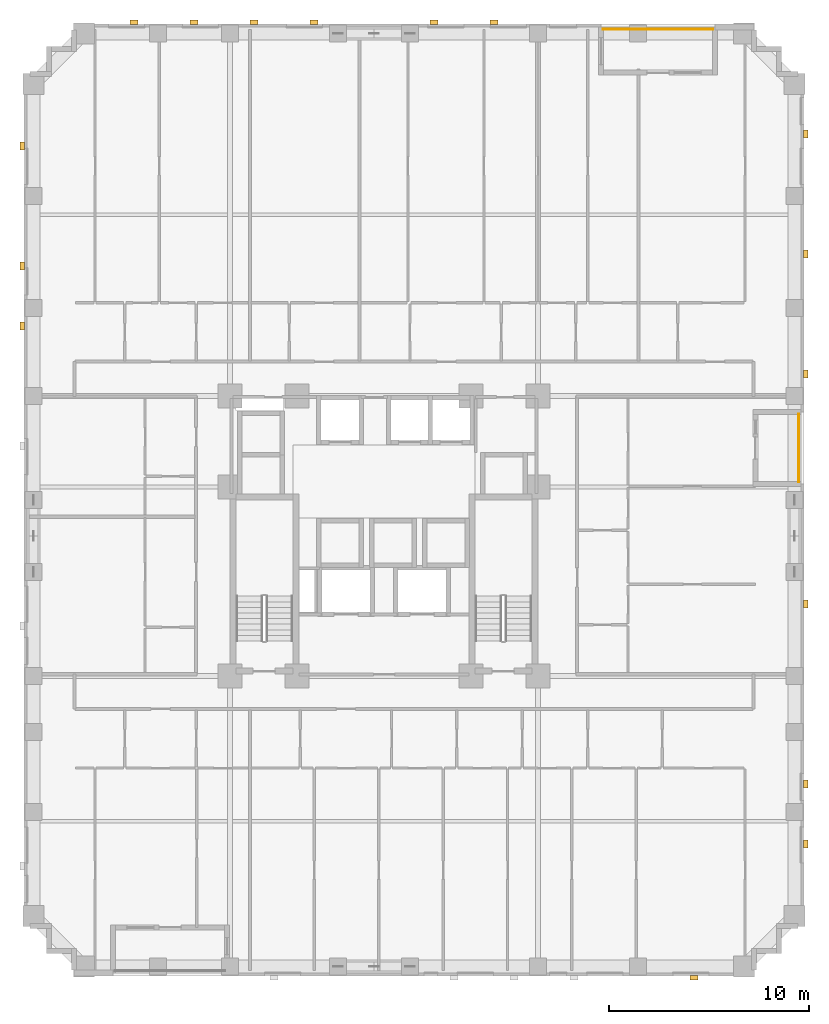
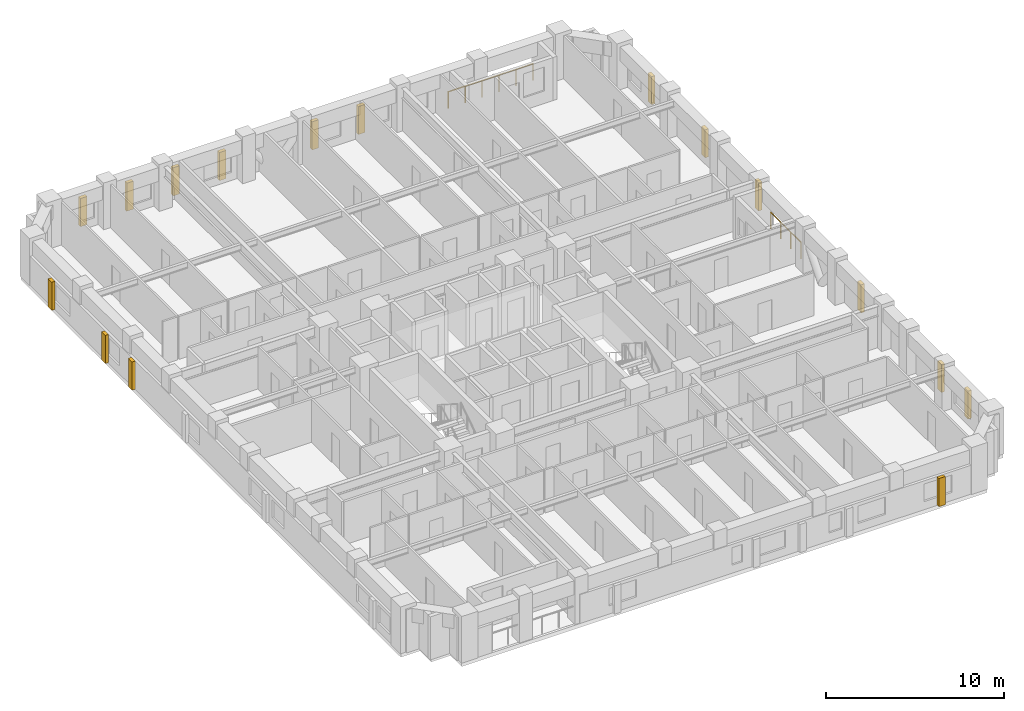
# One storey, part 14 of 14: 16 coverings, 2 railings.
"""IFC4 building model written with IfcOpenShell, lengths in metres."""

import ifcopenshell
import ifcopenshell.guid

model = None  # the IFC model being written
_history = None  # IfcOwnerHistory: only IFC2X3 demands one
_inside = {}  # id of a spatial element -> (the spatial element, [elements in it])
_under = {}  # id of a project, library or spatial element -> (it, [spatial elements below it])
_declared = {}  # id of a project -> (the project, [libraries it declares])
_typed = {}  # id of a type object -> (the type object, [elements of that type])
_made_of = {}  # id of a material, layer set ... -> (it, [elements and type objects made of it])


def new_model(schema):
    """Start an empty IFC model of exactly this schema.

    Asked for "IFC4X3", IfcOpenShell would pick the latest addendum, in which some entities
    have other attributes; the version numbers below select the first issue.
    IFC2X3 requires an IfcOwnerHistory on every rooted entity: one is made here for all.
    """
    global model, _history
    if schema == "IFC4X3":
        model = ifcopenshell.file(schema_version=(4, 3, 0, 0))
    else:
        model = ifcopenshell.file(schema=schema)
    _inside.clear()
    _under.clear()
    _declared.clear()
    _typed.clear()
    _made_of.clear()
    _history = None
    if model.schema == "IFC2X3":
        org = make("IfcOrganization", Name="unknown")
        user = make(
            "IfcPersonAndOrganization",
            ThePerson=make("IfcPerson", FamilyName="unknown"),
            TheOrganization=org,
        )
        app = make(
            "IfcApplication",
            ApplicationDeveloper=org,
            Version="unknown",
            ApplicationFullName="unknown",
            ApplicationIdentifier="unknown",
        )
        _history = make(
            "IfcOwnerHistory",
            OwningUser=user,
            OwningApplication=app,
            ChangeAction="ADDED",
            CreationDate=0,
        )
    return model


def make(cls, **values):
    """One entity of the class cls with the attributes given. An attribute that is None is left unset."""
    return model.create_entity(
        cls, **{name: value for name, value in values.items() if value is not None}
    )


def rooted(cls, **values):
    """An entity with a GlobalId (a new one), such as an element, a storey or a relation."""
    return make(cls, GlobalId=ifcopenshell.guid.new(), OwnerHistory=_history, **values)


def si_unit(unit_type, name, prefix=None):
    """IfcSIUnit, for example si_unit("LENGTHUNIT", "METRE", prefix="MILLI")."""
    return make("IfcSIUnit", UnitType=unit_type, Prefix=prefix, Name=name)


def derived_unit(unit_type, elements):
    """IfcDerivedUnit: a product of units, each with its exponent."""
    return make(
        "IfcDerivedUnit",
        Elements=[
            make("IfcDerivedUnitElement", Unit=unit, Exponent=power)
            for unit, power in elements
        ],
        UnitType=unit_type,
    )


def assignment(units):
    """IfcUnitAssignment: the units of a project."""
    return None if units is None else make("IfcUnitAssignment", Units=units)


def point(xyz):
    """IfcCartesianPoint."""
    return None if xyz is None else make("IfcCartesianPoint", Coordinates=xyz)


def direction(xyz):
    """IfcDirection."""
    return None if xyz is None else make("IfcDirection", DirectionRatios=xyz)


def frame(location, z_axis=None, x_axis=None):
    """IfcAxis2Placement3D, a coordinate frame: its origin and axes. An axis left out is left unset."""
    return make(
        "IfcAxis2Placement3D",
        Location=point(location),
        Axis=direction(z_axis),
        RefDirection=direction(x_axis),
    )


def frame_2d(location, x_axis=None):
    """IfcAxis2Placement2D, a coordinate frame in the plane: its origin and x axis."""
    return make(
        "IfcAxis2Placement2D", Location=point(location), RefDirection=direction(x_axis)
    )


def origin():
    """The frame at (0, 0, 0) with its axes left unset."""
    return frame((0.0, 0.0, 0.0))


def origin_2d():
    """The frame at (0, 0) in the plane with its x axis left unset."""
    return frame_2d((0.0, 0.0))


def place(relative_to, where):
    """IfcLocalPlacement: puts the frame where relative to a parent placement (None: the world)."""
    return make(
        "IfcLocalPlacement", PlacementRelTo=relative_to, RelativePlacement=where
    )


def context(
    kind, dimensions, precision=None, world=None, true_north=None, identifier=None
):
    """IfcGeometricRepresentationContext, for example the 3D "Model" context."""
    return make(
        "IfcGeometricRepresentationContext",
        ContextIdentifier=identifier,
        ContextType=kind,
        CoordinateSpaceDimension=dimensions,
        Precision=precision,
        WorldCoordinateSystem=world,
        TrueNorth=true_north,
    )


def subcontext(parent, identifier, kind, view, scale=None):
    """IfcGeometricRepresentationSubContext, for example "Body" below "Model"."""
    return make(
        "IfcGeometricRepresentationSubContext",
        ContextIdentifier=identifier,
        ContextType=kind,
        ParentContext=parent,
        TargetScale=scale,
        TargetView=view,
    )


def project(units=None, contexts=None):
    """IfcProject with its units and contexts."""
    return rooted(
        "IfcProject",
        Name="project",
        RepresentationContexts=contexts,
        UnitsInContext=assignment(units),
    )


def spatial(cls, under=None, at=None, **own):
    """A site, building, storey or space (cls), placed at a placement, below another one or the project."""
    s = rooted(cls, ObjectPlacement=at, **own)
    if under is not None:
        _under.setdefault(under.id(), (under, []))[1].append(s)
    return s


def profile(cls, at=None, kind="AREA", **sizes):
    """A parametric profile (cls). Its sizes go by their IFC names, for example OverallWidth=200.0."""
    return make(cls, ProfileType=kind, Position=at, **sizes)


def rectangle(**sizes):
    """IfcRectangleProfileDef."""
    return profile("IfcRectangleProfileDef", **sizes)


def circle(**sizes):
    """IfcCircleProfileDef."""
    return profile("IfcCircleProfileDef", **sizes)


def extrude(swept, where, along, depth):
    """IfcExtrudedAreaSolid: the profile swept, set in the frame where, extruded along a direction by depth."""
    return make(
        "IfcExtrudedAreaSolid",
        SweptArea=swept,
        Position=where,
        ExtrudedDirection=direction(along),
        Depth=depth,
    )


def shape(context_of_items, identifier, shape_type, items):
    """IfcShapeRepresentation: the items that make up one representation, for example the "Body"."""
    return make(
        "IfcShapeRepresentation",
        ContextOfItems=context_of_items,
        RepresentationIdentifier=identifier,
        RepresentationType=shape_type,
        Items=items,
    )


def material(Name=None, Category=None):
    """IfcMaterial."""
    return make("IfcMaterial", Name=Name, Category=Category)


def layer(
    of_material, thickness, ventilated=None, Name=None, Category=None, Priority=None
):
    """IfcMaterialLayer: one layer of a wall or slab, of a material (None: an air gap)."""
    return make(
        "IfcMaterialLayer",
        Material=of_material,
        LayerThickness=thickness,
        IsVentilated=ventilated,
        Name=Name,
        Category=Category,
        Priority=Priority,
    )


def layer_set(layers, Name=None):
    """IfcMaterialLayerSet."""
    return make("IfcMaterialLayerSet", MaterialLayers=layers, LayerSetName=Name)


def made_of(thing, what):
    """Note that an element or type object is made of a material, layer set ...; save() writes the relation."""
    if what is not None:
        _made_of.setdefault(what.id(), (what, []))[1].append(thing)
    return thing


def type_object(cls, material=None, **own):
    """A type object (cls), such as IfcWallType, which elements share."""
    return made_of(rooted(cls, **own), material)


def element(
    cls,
    number,
    at=None,
    inside=None,
    cuts=None,
    type_object=None,
    material=None,
    context=None,
    identifier="Body",
    shape_type=None,
    held_by="IfcProductDefinitionShape",
    body=None,
    shapes=None,
    **own,
):
    """One element of the class cls, such as IfcWall. Its Tag is "e" and its number.

    at: its placement. inside: the storey or other place that contains it. cuts: it is an
    opening in that element (IfcRelVoidsElement). A single representation is given by context,
    identifier, shape_type and body (its items); several are given by shapes. held_by: the class
    of the entity that holds the representations. save() writes the other relations.
    """
    e = rooted(cls, Tag="e%d" % number, ObjectPlacement=at, **own)
    if body is not None:
        shapes = [shape(context, identifier, shape_type, body)]
    if shapes is not None:
        e.Representation = make(held_by, Representations=shapes)
    if inside is not None:
        _inside.setdefault(inside.id(), (inside, []))[1].append(e)
    if cuts is not None:
        rooted(
            "IfcRelVoidsElement", RelatingBuildingElement=cuts, RelatedOpeningElement=e
        )
    if type_object is not None:
        _typed.setdefault(type_object.id(), (type_object, []))[1].append(e)
    return made_of(e, material)


def aggregate(whole, parts):
    """IfcRelAggregates: a whole, such as a stair, and the parts it consists of."""
    return rooted("IfcRelAggregates", RelatingObject=whole, RelatedObjects=parts)


def save(model, path):
    """Write the relations noted so far, then the file.

    IfcRelAggregates (storeys below a building ...), IfcRelContainedInSpatialStructure (elements
    in a storey), IfcRelDefinesByType, IfcRelAssociatesMaterial and IfcRelDeclares: one each for
    every whole, place, type object, material and project.
    """
    for whole, parts in _under.values():
        aggregate(whole, parts)
    for where, things in _inside.values():
        rooted(
            "IfcRelContainedInSpatialStructure",
            RelatedElements=things,
            RelatingStructure=where,
        )
    for kind, things in _typed.values():
        rooted("IfcRelDefinesByType", RelatedObjects=things, RelatingType=kind)
    for what, things in _made_of.values():
        rooted("IfcRelAssociatesMaterial", RelatedObjects=things, RelatingMaterial=what)
    for by, libraries in _declared.values():
        rooted("IfcRelDeclares", RelatingContext=by, RelatedDefinitions=libraries)
    model.write(path)


model = new_model("IFC4")

# Units and contexts
model_context = context("Model", 3, precision=1e-05, world=origin(), true_north=direction((0.0, 1.0)))
body_context = subcontext(model_context, "Body", "Model", "MODEL_VIEW")
ifc_project = project(units=[si_unit("LENGTHUNIT", "METRE"), si_unit("AREAUNIT", "SQUARE_METRE"), si_unit("VOLUMEUNIT", "CUBIC_METRE"), si_unit("PLANEANGLEUNIT", "RADIAN"), si_unit("MASSUNIT", "GRAM", prefix="KILO"), derived_unit("THERMALTRANSMITTANCEUNIT", [(si_unit("MASSUNIT", "GRAM", prefix="KILO"), 1), (si_unit("TIMEUNIT", "SECOND"), -3), (si_unit("THERMODYNAMICTEMPERATUREUNIT", "KELVIN"), -1)])], contexts=[model_context])

# Site, building, storey
site_placement = place(None, origin())
site = spatial("IfcSite", under=ifc_project, at=site_placement, CompositionType="ELEMENT")
building_placement = place(site_placement, origin())
building = spatial("IfcBuilding", under=site, at=building_placement, Name="Korrvale Station Residences", CompositionType="ELEMENT")
storey_placement = place(building_placement, frame((0.0, 0.0, 64.199951171875)))
storey = spatial("IfcBuildingStorey", under=building, at=storey_placement, Name="L17", CompositionType="ELEMENT", Elevation=64.199951171875)

# Coverings
ifc_material_1 = material(Name="Architectural precast concrete C45/55", Category="concrete")
ifc_layer = layer(ifc_material_1, 0.219970703125, Name="Architectural precast concrete C45/55")
ifc_layer_set = layer_set([ifc_layer], Name="Architectural precast concrete C45/55")
covering_type = type_object("IfcCoveringType", Name="COV-PIER-400", PredefinedType="CLADDING", material=ifc_layer_set)
for number, where, z_axis, x_axis, name in (
    (1, (41.0, -0.090087890625, 0.02490234375), (0.0, 0.0, 1.0), (1.0, 0.0, 0.0), "L17 Architectural Precast Facade Pier 01"),
    (2, (13.0, 47.68994140625, 0.02490234375), (0.0, 0.0, 1.0), (1.0, 0.0, 0.0), "L17 Architectural Precast Facade Pier 06"),
    (3, (16.0, 47.68994140625, 0.02490234375), (0.0, 0.0, 1.0), (1.0, 0.0, 0.0), "L17 Architectural Precast Facade Pier 07"),
    (4, (19.0, 47.68994140625, 0.02490234375), (0.0, 0.0, 1.0), (1.0, 0.0, 0.0), "L17 Architectural Precast Facade Pier 08"),
    (5, (22.0, 47.68994140625, 0.02490234375), (0.0, 0.0, 1.0), (1.0, 0.0, 0.0), "L17 Architectural Precast Facade Pier 09"),
    (6, (28.0, 47.68994140625, 0.02490234375), (0.0, 0.0, 1.0), (1.0, 0.0, 0.0), "L17 Architectural Precast Facade Pier 10"),
    (7, (31.0, 47.68994140625, 0.02490234375), (0.0, 0.0, 1.0), (1.0, 0.0, 0.0), "L17 Architectural Precast Facade Pier 11"),
    (8, (7.409912109375, 32.5, 0.02490234375), (0.0, 0.0, 1.0), (0.0, 1.0, 0.0), "L17 Architectural Precast Facade Pier 15"),
    (9, (7.409912109375, 35.5, 0.02490234375), (0.0, 0.0, 1.0), (0.0, 1.0, 0.0), "L17 Architectural Precast Facade Pier 16"),
    (10, (7.409912109375, 41.5, 0.02490234375), (0.0, 0.0, 1.0), (0.0, 1.0, 0.0), "L17 Architectural Precast Facade Pier 17"),
    (11, (46.590087890625, 42.10009765625, 0.02490234375), (0.0, 0.0, 1.0), (0.0, 1.0, 0.0), "L17 Architectural Precast Facade Pier 18"),
    (12, (46.590087890625, 36.10009765625, 0.02490234375), (0.0, 0.0, 1.0), (0.0, 1.0, 0.0), "L17 Architectural Precast Facade Pier 19"),
    (13, (46.590087890625, 30.10009765625, 0.02490234375), (0.0, 0.0, 1.0), (0.0, 1.0, 0.0), "L17 Architectural Precast Facade Pier 20"),
    (14, (46.590087890625, 18.60009765625, 0.02490234375), (0.0, 0.0, 1.0), (0.0, 1.0, 0.0), "L17 Architectural Precast Facade Pier 21"),
    (15, (46.590087890625, 9.60009765625, 0.02490234375), (0.0, 0.0, 1.0), (0.0, 1.0, 0.0), "L17 Architectural Precast Facade Pier 22"),
    (16, (46.590087890625, 6.60009765625, 0.02490234375), (0.0, 0.0, 1.0), (0.0, 1.0, 0.0), "L17 Architectural Precast Facade Pier 23"),
):
    element("IfcCovering", number, at=place(storey_placement, frame(where, z_axis=z_axis, x_axis=x_axis)), inside=storey, type_object=covering_type, Name=name, PredefinedType="CLADDING", context=body_context, shape_type="SweptSolid", body=[
        extrude(rectangle(XDim=0.419921875, YDim=0.219970703125, at=origin_2d()), origin(), (0.0, 0.0, 1.0), 1.925048828125),
    ])

# Railings
ifc_material_2 = material(Name="Powder-coated aluminium picket loggia guard", Category="aluminium")
railing_type = type_object("IfcRailingType", Name="RLG-BAL-1150", PredefinedType="GUARDRAIL", material=ifc_material_2)
railing_1_placement = place(storey_placement, frame((36.449951171875, 47.330078125, 0.0)))
element("IfcRailing", 17, at=railing_1_placement, inside=storey, type_object=railing_type, Name="L17 Recessed Loggia Guardrail BAL-L17-N1", PredefinedType="GUARDRAIL", context=body_context, shape_type="SweptSolid", body=[
    extrude(circle(Radius=0.02392578125, at=origin_2d()), frame((0.0, 0.0, 1.1259765625), z_axis=(1.0, 0.0, 0.0), x_axis=(0.0, 1.0, 0.0)), (0.0, 0.0, 1.0), 5.5),
    extrude(circle(Radius=0.02099609375, at=origin_2d()), origin(), (0.0, 0.0, 1.0), 1.101806640625),
    extrude(circle(Radius=0.02099609375, at=origin_2d()), frame((1.10009765625, 0.0, 0.0)), (0.0, 0.0, 1.0), 1.101806640625),
    extrude(circle(Radius=0.02099609375, at=origin_2d()), frame((2.199951171875, 0.0, 0.0)), (0.0, 0.0, 1.0), 1.101806640625),
    extrude(circle(Radius=0.02099609375, at=origin_2d()), frame((3.300048828125, 0.0, 0.0)), (0.0, 0.0, 1.0), 1.101806640625),
    extrude(circle(Radius=0.02099609375, at=origin_2d()), frame((4.39990234375, 0.0, 0.0)), (0.0, 0.0, 1.0), 1.101806640625),
    extrude(circle(Radius=0.02099609375, at=origin_2d()), frame((5.5, 0.0, 0.0)), (0.0, 0.0, 1.0), 1.101806640625),
])
railing_2_placement = place(storey_placement, frame((46.22998046875, 24.699951171875, 0.0)))
element("IfcRailing", 18, at=railing_2_placement, inside=storey, type_object=railing_type, Name="L17 Recessed Loggia Guardrail BAL-L17-E1", PredefinedType="GUARDRAIL", context=body_context, shape_type="SweptSolid", body=[
    extrude(circle(Radius=0.02392578125, at=origin_2d()), frame((0.0, 0.0, 1.1259765625), z_axis=(0.0, 1.0, 0.0), x_axis=(-1.0, 0.0, 0.0)), (0.0, 0.0, 1.0), 3.400146484375),
    extrude(circle(Radius=0.02099609375, at=origin_2d()), origin(), (0.0, 0.0, 1.0), 1.101806640625),
    extrude(circle(Radius=0.02099609375, at=origin_2d()), frame((0.0, 1.13330078125, 0.0)), (0.0, 0.0, 1.0), 1.101806640625),
    extrude(circle(Radius=0.02099609375, at=origin_2d()), frame((0.0, 2.266845703125, 0.0)), (0.0, 0.0, 1.0), 1.101806640625),
    extrude(circle(Radius=0.02099609375, at=origin_2d()), frame((0.0, 3.400146484375, 0.0)), (0.0, 0.0, 1.0), 1.101806640625),
])

save(model, "model.ifc")
